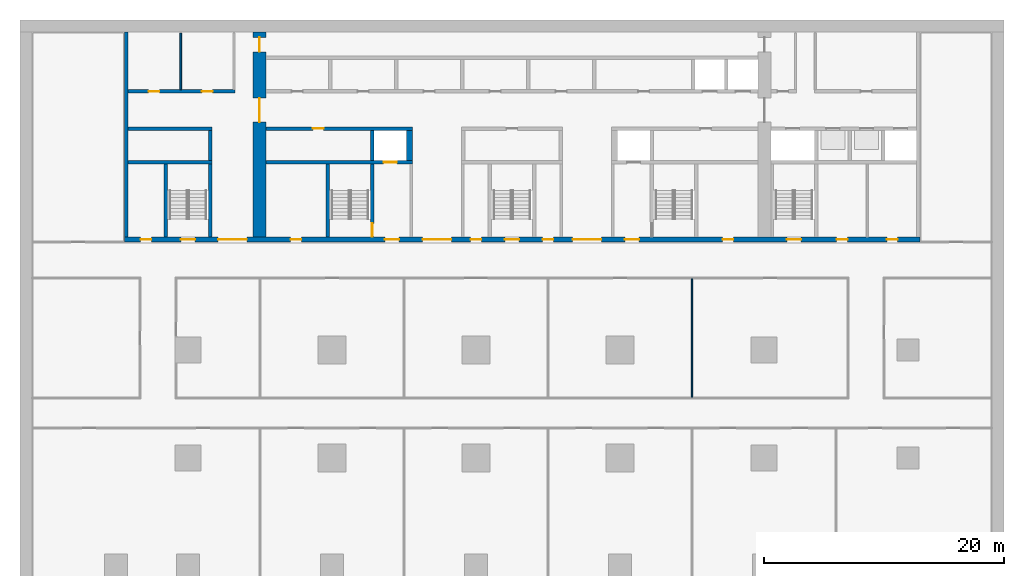
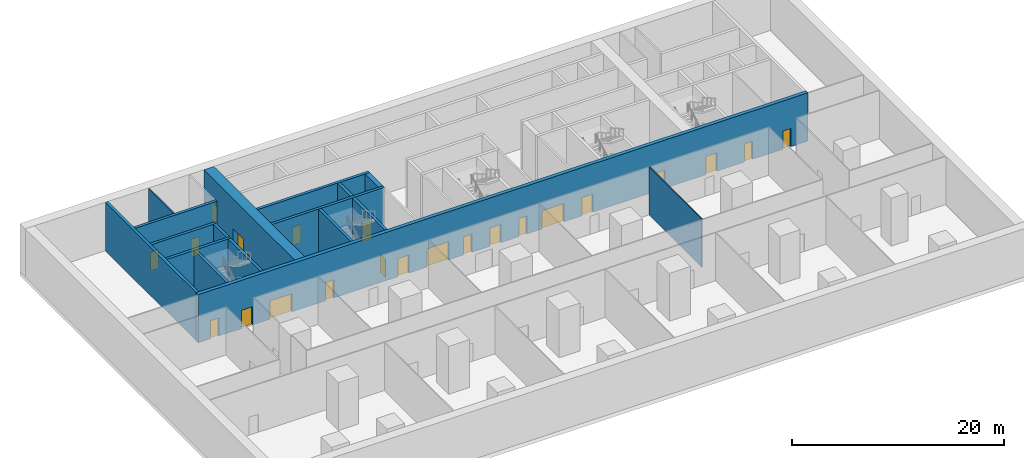
# One storey, part 3 of 10: 22 doors, 17 walls, 22 openings.
"""IFC4 building model written with IfcOpenShell, lengths in metres."""

from ifc_helpers import new_model, si_unit, direction, frame, frame_2d, origin, place, context, subcontext, project, spatial, rectangle, extrude, material, layer, layer_set, type_object, element, fill, save


model = new_model("IFC4")

# Units and contexts
model_context = context("Model", 3, precision=1e-05, world=origin(), true_north=direction((0.0, 1.0)))
body_context = subcontext(model_context, "Body", "Model", "MODEL_VIEW")
ifc_project = project(units=[si_unit("LENGTHUNIT", "METRE"), si_unit("AREAUNIT", "SQUARE_METRE"), si_unit("VOLUMEUNIT", "CUBIC_METRE"), si_unit("PLANEANGLEUNIT", "RADIAN"), si_unit("MASSUNIT", "GRAM", prefix="KILO")], contexts=[model_context])

# Site, building, storey
site_placement = place(None, origin())
site = spatial("IfcSite", under=ifc_project, at=site_placement, CompositionType="ELEMENT")
building_placement = place(site_placement, origin())
building = spatial("IfcBuilding", under=site, at=building_placement, Name="Calvaro Tower", CompositionType="ELEMENT")
storey_placement = place(building_placement, frame((0.0, 0.0, -6.0)))
storey = spatial("IfcBuildingStorey", under=building, at=storey_placement, Name="B1", CompositionType="ELEMENT", Elevation=-6.0)

# Wall
ifc_material_1 = material(Name="Blockwork partition", Category="masonry")
ifc_layer_1 = layer(ifc_material_1, 0.14990234375)
ifc_layer_set_1 = layer_set([ifc_layer_1], Name="Blockwork partition")
wall_type_1 = type_object("IfcWallType", Name="Core partition 150 REI 120", PredefinedType="PARTITIONING", material=ifc_layer_set_1)
wall_1_placement = place(storey_placement, frame((11.39990234375, 40.699951171875, 0.0), z_axis=(0.0, 0.0, 1.0), x_axis=(0.0, 1.0, 0.0)))
element("IfcWall", 1, at=wall_1_placement, inside=storey, type_object=wall_type_1, Name="Core partition", PredefinedType="PARTITIONING", context=body_context, shape_type="SweptSolid", body=[
    extrude(rectangle(XDim=4.699951171875, YDim=0.14990234375, at=frame_2d((2.35009765625, 0.0))), origin(), (0.0, 0.0, 1.0), 5.550048828125),
])

# Wall, openings, doors
ifc_material_2 = material(Name="Blockwork partition", Category="masonry")
ifc_layer_2 = layer(ifc_material_2, 0.300048828125)
ifc_layer_set_2 = layer_set([ifc_layer_2], Name="Blockwork partition")
wall_type_2 = type_object("IfcWallType", Name="Core partition 300 REI 120", PredefinedType="PARTITIONING", material=ifc_layer_set_2)
wall_2_placement = place(storey_placement, frame((7.0, 40.550048828125, 0.0), z_axis=(0.0, 0.0, 1.0), x_axis=(1.0, 0.0, 0.0)))
wall_2 = element("IfcWall", 2, at=wall_2_placement, inside=storey, type_object=wall_type_2, Name="Core partition", PredefinedType="PARTITIONING", context=body_context, shape_type="SweptSolid", body=[
    extrude(rectangle(XDim=8.89990234375, YDim=0.300048828125, at=frame_2d((4.449951171875, 0.0))), origin(), (0.0, 0.0, 1.0), 5.550048828125),
])
opening_1_placement = place(wall_2_placement, frame((1.71240234375, 0.0, 0.0)))
opening_1 = element("IfcOpeningElement", 3, at=opening_1_placement, cuts=wall_2, Name="Opening RD9E", PredefinedType="OPENING", context=body_context, shape_type="SweptSolid", body=[
    extrude(rectangle(XDim=0.89990234375, YDim=2.10009765625, at=frame_2d((0.449951171875, 1.050048828125))), frame((0.0, 0.159912109375, 0.0), z_axis=(0.0, -1.0, 0.0), x_axis=(1.0, 0.0, 0.0)), (0.0, 0.0, 1.0), 0.320068359375),
])
opening_2_placement = place(wall_2_placement, frame((6.16259765625, 0.0, 0.0)))
opening_2 = element("IfcOpeningElement", 4, at=opening_2_placement, cuts=wall_2, Name="Opening RD9E", PredefinedType="OPENING", context=body_context, shape_type="SweptSolid", body=[
    extrude(rectangle(XDim=0.89990234375, YDim=2.10009765625, at=frame_2d((0.449951171875, 1.050048828125))), frame((0.0, 0.159912109375, 0.0), z_axis=(0.0, -1.0, 0.0), x_axis=(1.0, 0.0, 0.0)), (0.0, 0.0, 1.0), 0.320068359375),
])
ifc_material_3 = material(Name="Steel door set", Category="steel")
door_type_1 = type_object("IfcDoorType", Name="Room door 900 FD60", OperationType="SINGLE_SWING_LEFT", PredefinedType="DOOR", material=ifc_material_3)
door_1_placement = place(opening_1_placement, origin())
door_1 = element("IfcDoor", 5, at=door_1_placement, inside=storey, type_object=door_type_1, Name="Room door", OperationType="SINGLE_SWING_LEFT", OverallHeight=2.10009765625, OverallWidth=0.89990234375, PredefinedType="DOOR", context=body_context, shape_type="SweptSolid", body=[
    extrude(rectangle(XDim=0.89990234375, YDim=2.10009765625, at=frame_2d((0.449951171875, 1.050048828125))), frame((0.0, 0.02490234375, 0.0), z_axis=(0.0, -1.0, 0.0), x_axis=(1.0, 0.0, 0.0)), (0.0, 0.0, 1.0), 0.050048828125),
])
fill(opening_1, door_1)
door_2_placement = place(opening_2_placement, origin())
door_2 = element("IfcDoor", 6, at=door_2_placement, inside=storey, type_object=door_type_1, Name="Room door", OperationType="SINGLE_SWING_RIGHT", OverallHeight=2.10009765625, OverallWidth=0.89990234375, PredefinedType="DOOR", context=body_context, shape_type="SweptSolid", body=[
    extrude(rectangle(XDim=0.89990234375, YDim=2.10009765625, at=frame_2d((0.449951171875, 1.050048828125))), frame((0.0, 0.02490234375, 0.0), z_axis=(0.0, -1.0, 0.0), x_axis=(1.0, 0.0, 0.0)), (0.0, 0.0, 1.0), 0.050048828125),
])
fill(opening_2, door_2)

ifc_material_4 = material(Name="Concrete C80/95", Category="concrete")
ifc_layer_3 = layer(ifc_material_4, 1.10009765625)
ifc_layer_set_3 = layer_set([ifc_layer_3], Name="Concrete C80/95")
wall_type_3 = type_object("IfcWallType", Name="Core wall C80/95 1100", PredefinedType="SHEAR", material=ifc_layer_set_3)
wall_3_placement = place(storey_placement, frame((17.949951171875, 28.39990234375, 0.0), z_axis=(0.0, 0.0, 1.0), x_axis=(0.0, 1.0, 0.0)))
wall_3 = element("IfcWall", 7, at=wall_3_placement, inside=storey, type_object=wall_type_3, Name="Core wall, cross shear wall", PredefinedType="SHEAR", context=body_context, shape_type="SweptSolid", body=[
    extrude(rectangle(XDim=17.10009765625, YDim=1.10009765625, at=frame_2d((8.550048828125, 0.0))), origin(), (0.0, 0.0, 1.0), 5.550048828125),
])
opening_3_placement = place(wall_3_placement, frame((9.60009765625, 0.0, 0.0)))
opening_3 = element("IfcOpeningElement", 8, at=opening_3_placement, cuts=wall_3, Name="Opening DD20D", PredefinedType="OPENING", context=body_context, shape_type="SweptSolid", body=[
    extrude(rectangle(XDim=2.0, YDim=2.10009765625, at=frame_2d((1.0, 1.050048828125))), frame((0.0, 0.56005859375, 0.0), z_axis=(0.0, -1.0, 0.0), x_axis=(1.0, 0.0, 0.0)), (0.0, 0.0, 1.0), 1.1201171875),
])
opening_4_placement = place(wall_3_placement, frame((15.449951171875, 0.0, 0.0)))
opening_4 = element("IfcOpeningElement", 9, at=opening_4_placement, cuts=wall_3, Name="Opening FD12C", PredefinedType="OPENING", context=body_context, shape_type="SweptSolid", body=[
    extrude(rectangle(XDim=1.199951171875, YDim=2.10009765625, at=frame_2d((0.60009765625, 1.050048828125))), frame((0.0, 0.56005859375, 0.0), z_axis=(0.0, -1.0, 0.0), x_axis=(1.0, 0.0, 0.0)), (0.0, 0.0, 1.0), 1.1201171875),
])
ifc_material_5 = material(Name="Steel door set", Category="steel")
door_type_2 = type_object("IfcDoorType", Name="Fire door 1200 FD30", OperationType="SINGLE_SWING_LEFT", PredefinedType="DOOR", material=ifc_material_5)
door_3_placement = place(opening_4_placement, origin())
door_3 = element("IfcDoor", 10, at=door_3_placement, inside=storey, type_object=door_type_2, Name="Fire door", OperationType="SINGLE_SWING_RIGHT", OverallHeight=2.10009765625, OverallWidth=1.199951171875, PredefinedType="DOOR", context=body_context, shape_type="SweptSolid", body=[
    extrude(rectangle(XDim=1.199951171875, YDim=2.10009765625, at=frame_2d((0.60009765625, 1.050048828125))), frame((0.0, 0.02490234375, 0.0), z_axis=(0.0, -1.0, 0.0), x_axis=(1.0, 0.0, 0.0)), (0.0, 0.0, 1.0), 0.050048828125),
])
fill(opening_4, door_3)
ifc_material_6 = material(Name="Steel door set", Category="steel")
door_type_3 = type_object("IfcDoorType", Name="Lobby double door 2000 FD30S", OperationType="DOUBLE_DOOR_SINGLE_SWING", PredefinedType="DOOR", material=ifc_material_6)
door_4_placement = place(opening_3_placement, origin())
door_4 = element("IfcDoor", 11, at=door_4_placement, inside=storey, type_object=door_type_3, Name="Lobby double door", OperationType="DOUBLE_DOOR_SINGLE_SWING", OverallHeight=2.10009765625, OverallWidth=2.0, PredefinedType="DOOR", context=body_context, shape_type="SweptSolid", body=[
    extrude(rectangle(XDim=2.0, YDim=2.10009765625, at=frame_2d((1.0, 1.050048828125))), frame((0.0, 0.02490234375, 0.0), z_axis=(0.0, -1.0, 0.0), x_axis=(1.0, 0.0, 0.0)), (0.0, 0.0, 1.0), 0.050048828125),
])
fill(opening_3, door_4)

# Walls
ifc_material_7 = material(Name="Concrete C80/95", Category="concrete")
ifc_layer_4 = layer(ifc_material_7, 0.300048828125)
ifc_layer_set_4 = layer_set([ifc_layer_4], Name="Concrete C80/95")
wall_type_4 = type_object("IfcWallType", Name="Core wall C80/95 300", PredefinedType="SHEAR", material=ifc_layer_set_4)
wall_4_placement = place(storey_placement, frame((6.85009765625, 28.39990234375, 0.0), z_axis=(0.0, 0.0, 1.0), x_axis=(0.0, 1.0, 0.0)))
element("IfcWall", 12, at=wall_4_placement, inside=storey, type_object=wall_type_4, Name="Core wall, boundary", PredefinedType="SHEAR", context=body_context, shape_type="SweptSolid", body=[
    extrude(rectangle(XDim=17.10009765625, YDim=0.300048828125, at=frame_2d((8.550048828125, 0.0))), origin(), (0.0, 0.0, 1.0), 5.550048828125),
])
for number, where, z_axis, x_axis, name in (
    (13, (10.14990234375, 28.39990234375, 0.0), (0.0, 0.0, 1.0), (0.0, 1.0, 0.0), "Core wall, stair enclosure"),
    (14, (13.85009765625, 28.39990234375, 0.0), (0.0, 0.0, 1.0), (0.0, 1.0, 0.0), "Core wall, stair enclosure"),
    (15, (23.64990234375, 28.39990234375, 0.0), (0.0, 0.0, 1.0), (0.0, 1.0, 0.0), "Core wall, stair enclosure"),
):
    element("IfcWall", number, at=place(storey_placement, frame(where, z_axis=z_axis, x_axis=x_axis)), inside=storey, type_object=wall_type_4, Name=name, PredefinedType="SHEAR", context=body_context, shape_type="SweptSolid", body=[
        extrude(rectangle(XDim=6.10009765625, YDim=0.300048828125, at=frame_2d((3.050048828125, 0.0))), origin(), (0.0, 0.0, 1.0), 5.550048828125),
    ])

# Wall, opening, door
wall_5_placement = place(storey_placement, frame((27.35009765625, 28.39990234375, 0.0), z_axis=(0.0, 0.0, 1.0), x_axis=(0.0, 1.0, 0.0)))
wall_5 = element("IfcWall", 16, at=wall_5_placement, inside=storey, type_object=wall_type_4, Name="Core wall, stair enclosure", PredefinedType="SHEAR", context=body_context, shape_type="SweptSolid", body=[
    extrude(rectangle(XDim=6.10009765625, YDim=0.300048828125, at=frame_2d((3.050048828125, 0.0))), origin(), (0.0, 0.0, 1.0), 5.550048828125),
])
opening_5_placement = place(wall_5_placement, frame((0.050048828125, 0.0, 0.0)))
opening_5 = element("IfcOpeningElement", 17, at=opening_5_placement, cuts=wall_5, Name="Opening FD11D", PredefinedType="OPENING", context=body_context, shape_type="SweptSolid", body=[
    extrude(rectangle(XDim=1.10009765625, YDim=2.10009765625, at=frame_2d((0.550048828125, 1.050048828125))), frame((0.0, 0.159912109375, 0.0), z_axis=(0.0, -1.0, 0.0), x_axis=(1.0, 0.0, 0.0)), (0.0, 0.0, 1.0), 0.320068359375),
])
ifc_material_8 = material(Name="Steel door set", Category="steel")
door_type_4 = type_object("IfcDoorType", Name="Fire door 1100 FD30S", OperationType="SINGLE_SWING_LEFT", PredefinedType="DOOR", material=ifc_material_8)
door_5_placement = place(opening_5_placement, origin())
door_5 = element("IfcDoor", 18, at=door_5_placement, inside=storey, type_object=door_type_4, Name="Fire door", OperationType="SINGLE_SWING_LEFT", OverallHeight=2.10009765625, OverallWidth=1.10009765625, PredefinedType="DOOR", context=body_context, shape_type="SweptSolid", body=[
    extrude(rectangle(XDim=1.10009765625, YDim=2.10009765625, at=frame_2d((0.550048828125, 1.050048828125))), frame((0.0, 0.02490234375, 0.0), z_axis=(0.0, -1.0, 0.0), x_axis=(1.0, 0.0, 0.0)), (0.0, 0.0, 1.0), 0.050048828125),
])
fill(opening_5, door_5)

# Wall
wall_6_placement = place(storey_placement, frame((7.0, 34.64990234375, 0.0), z_axis=(0.0, 0.0, 1.0), x_axis=(1.0, 0.0, 0.0)))
element("IfcWall", 19, at=wall_6_placement, inside=storey, type_object=wall_type_4, Name="Core wall, lift shaft", PredefinedType="SHEAR", context=body_context, shape_type="SweptSolid", body=[
    extrude(rectangle(XDim=7.0, YDim=0.300048828125, at=frame_2d((3.5, 0.0))), origin(), (0.0, 0.0, 1.0), 5.550048828125),
])

# Wall, opening, door
wall_7_placement = place(storey_placement, frame((18.5, 34.64990234375, 0.0), z_axis=(0.0, 0.0, 1.0), x_axis=(1.0, 0.0, 0.0)))
wall_7 = element("IfcWall", 20, at=wall_7_placement, inside=storey, type_object=wall_type_4, Name="Core wall, lift shaft", PredefinedType="SHEAR", context=body_context, shape_type="SweptSolid", body=[
    extrude(rectangle(XDim=12.199951171875, YDim=0.300048828125, at=frame_2d((6.10009765625, 0.0))), origin(), (0.0, 0.0, 1.0), 5.550048828125),
])
opening_6_placement = place(wall_7_placement, frame((9.800048828125, 0.0, 0.0)))
opening_6 = element("IfcOpeningElement", 21, at=opening_6_placement, cuts=wall_7, Name="Opening FF1", PredefinedType="OPENING", context=body_context, shape_type="SweptSolid", body=[
    extrude(rectangle(XDim=1.10009765625, YDim=2.10009765625, at=frame_2d((0.550048828125, 1.050048828125))), frame((0.0, 0.159912109375, 0.0), z_axis=(0.0, -1.0, 0.0), x_axis=(1.0, 0.0, 0.0)), (0.0, 0.0, 1.0), 0.320068359375),
])
ifc_material_9 = material(Name="Stainless steel", Category="steel")
door_type_5 = type_object("IfcDoorType", Name="Landing door 1100 E 60", OperationType="SLIDING_TO_LEFT", PredefinedType="DOOR", material=ifc_material_9)
door_6_placement = place(opening_6_placement, origin())
door_6 = element("IfcDoor", 22, at=door_6_placement, inside=storey, type_object=door_type_5, Name="Landing door FF1", OperationType="SLIDING_TO_LEFT", OverallHeight=2.10009765625, OverallWidth=1.10009765625, PredefinedType="DOOR", context=body_context, shape_type="SweptSolid", body=[
    extrude(rectangle(XDim=1.10009765625, YDim=2.10009765625, at=frame_2d((0.550048828125, 1.050048828125))), frame((0.0, 0.02490234375, 0.0), z_axis=(0.0, -1.0, 0.0), x_axis=(1.0, 0.0, 0.0)), (0.0, 0.0, 1.0), 0.050048828125),
])
fill(opening_6, door_6)

# Wall
wall_8_placement = place(storey_placement, frame((7.0, 37.449951171875, 0.0), z_axis=(0.0, 0.0, 1.0), x_axis=(1.0, 0.0, 0.0)))
element("IfcWall", 23, at=wall_8_placement, inside=storey, type_object=wall_type_4, Name="Core wall, lift shaft", PredefinedType="SHEAR", context=body_context, shape_type="SweptSolid", body=[
    extrude(rectangle(XDim=7.0, YDim=0.300048828125, at=frame_2d((3.5, 0.0))), origin(), (0.0, 0.0, 1.0), 5.550048828125),
])

# Wall, opening, door
wall_9_placement = place(storey_placement, frame((30.699951171875, 37.449951171875, 0.0), z_axis=(0.0, 0.0, 1.0), x_axis=(-1.0, 0.0, 0.0)))
wall_9 = element("IfcWall", 24, at=wall_9_placement, inside=storey, type_object=wall_type_4, Name="Core wall, bay", PredefinedType="SHEAR", context=body_context, shape_type="SweptSolid", body=[
    extrude(rectangle(XDim=12.199951171875, YDim=0.300048828125, at=frame_2d((6.10009765625, 0.0))), origin(), (0.0, 0.0, 1.0), 5.550048828125),
])
opening_7_placement = place(wall_9_placement, frame((7.39990234375, 0.0, 0.0)))
opening_7 = element("IfcOpeningElement", 25, at=opening_7_placement, cuts=wall_9, Name="Opening RD9E", PredefinedType="OPENING", context=body_context, shape_type="SweptSolid", body=[
    extrude(rectangle(XDim=0.89990234375, YDim=2.10009765625, at=frame_2d((0.449951171875, 1.050048828125))), frame((0.0, 0.159912109375, 0.0), z_axis=(0.0, -1.0, 0.0), x_axis=(1.0, 0.0, 0.0)), (0.0, 0.0, 1.0), 0.320068359375),
])
door_7_placement = place(opening_7_placement, origin())
door_7 = element("IfcDoor", 26, at=door_7_placement, inside=storey, type_object=door_type_1, Name="Room door", OperationType="SINGLE_SWING_LEFT", OverallHeight=2.10009765625, OverallWidth=0.89990234375, PredefinedType="DOOR", context=body_context, shape_type="SweptSolid", body=[
    extrude(rectangle(XDim=0.89990234375, YDim=2.10009765625, at=frame_2d((0.449951171875, 1.050048828125))), frame((0.0, 0.02490234375, 0.0), z_axis=(0.0, -1.0, 0.0), x_axis=(1.0, 0.0, 0.0)), (0.0, 0.0, 1.0), 0.050048828125),
])
fill(opening_7, door_7)

# Walls
for number, where, z_axis, x_axis, name in (
    (27, (27.35009765625, 34.800048828125, 0.0), (0.0, 0.0, 1.0), (0.0, 1.0, 0.0), "Core wall, lift shaft"),
    (28, (13.85009765625, 34.800048828125, 0.0), (0.0, 0.0, 1.0), (0.0, 1.0, 0.0), "Core wall, lift shaft"),
):
    element("IfcWall", number, at=place(storey_placement, frame(where, z_axis=z_axis, x_axis=x_axis)), inside=storey, type_object=wall_type_4, Name=name, PredefinedType="SHEAR", context=body_context, shape_type="SweptSolid", body=[
        extrude(rectangle(XDim=2.5, YDim=0.300048828125, at=frame_2d((1.25, 0.0))), origin(), (0.0, 0.0, 1.0), 5.550048828125),
    ])

# Wall, openings, doors
ifc_material_10 = material(Name="Concrete C80/95", Category="concrete")
ifc_layer_5 = layer(ifc_material_10, 0.39990234375)
ifc_layer_set_5 = layer_set([ifc_layer_5], Name="Concrete C80/95")
wall_type_5 = type_object("IfcWallType", Name="Core wall C80/95 400", PredefinedType="SHEAR", material=ifc_layer_set_5)
wall_10_placement = place(storey_placement, frame((6.699951171875, 28.199951171875, 0.0), z_axis=(0.0, 0.0, 1.0), x_axis=(1.0, 0.0, 0.0)))
wall_10 = element("IfcWall", 29, at=wall_10_placement, inside=storey, type_object=wall_type_5, Name="Core wall, front", PredefinedType="SHEAR", context=body_context, shape_type="SweptSolid", body=[
    extrude(rectangle(XDim=66.300048828125, YDim=0.39990234375, at=frame_2d((33.14990234375, 0.0))), origin(), (0.0, 0.0, 1.0), 5.550048828125),
])
opening_8_placement = place(wall_10_placement, frame((13.85009765625, 0.0, 0.0)))
opening_8 = element("IfcOpeningElement", 30, at=opening_8_placement, cuts=wall_10, Name="Opening RD9E", PredefinedType="OPENING", context=body_context, shape_type="SweptSolid", body=[
    extrude(rectangle(XDim=0.89990234375, YDim=2.10009765625, at=frame_2d((0.449951171875, 1.050048828125))), frame((0.0, 0.2099609375, 0.0), z_axis=(0.0, -1.0, 0.0), x_axis=(1.0, 0.0, 0.0)), (0.0, 0.0, 1.0), 0.419921875),
])
opening_9_placement = place(wall_10_placement, frame((49.85009765625, 0.0, 0.0)))
opening_9 = element("IfcOpeningElement", 31, at=opening_9_placement, cuts=wall_10, Name="Opening RD9E", PredefinedType="OPENING", context=body_context, shape_type="SweptSolid", body=[
    extrude(rectangle(XDim=0.89990234375, YDim=2.10009765625, at=frame_2d((0.449951171875, 1.050048828125))), frame((0.0, 0.2099609375, 0.0), z_axis=(0.0, -1.0, 0.0), x_axis=(1.0, 0.0, 0.0)), (0.0, 0.0, 1.0), 0.419921875),
])
opening_10_placement = place(wall_10_placement, frame((1.35009765625, 0.0, 0.0)))
opening_10 = element("IfcOpeningElement", 32, at=opening_10_placement, cuts=wall_10, Name="Opening RD9C", PredefinedType="OPENING", context=body_context, shape_type="SweptSolid", body=[
    extrude(rectangle(XDim=0.89990234375, YDim=2.10009765625, at=frame_2d((0.449951171875, 1.050048828125))), frame((0.0, 0.2099609375, 0.0), z_axis=(0.0, -1.0, 0.0), x_axis=(1.0, 0.0, 0.0)), (0.0, 0.0, 1.0), 0.419921875),
])
opening_11_placement = place(wall_10_placement, frame((59.362548828125, 0.0, 0.0)))
opening_11 = element("IfcOpeningElement", 33, at=opening_11_placement, cuts=wall_10, Name="Opening RD9E", PredefinedType="OPENING", context=body_context, shape_type="SweptSolid", body=[
    extrude(rectangle(XDim=0.89990234375, YDim=2.10009765625, at=frame_2d((0.449951171875, 1.050048828125))), frame((0.0, 0.2099609375, 0.0), z_axis=(0.0, -1.0, 0.0), x_axis=(1.0, 0.0, 0.0)), (0.0, 0.0, 1.0), 0.419921875),
])
opening_12_placement = place(wall_10_placement, frame((63.53759765625, 0.0, 0.0)))
opening_12 = element("IfcOpeningElement", 34, at=opening_12_placement, cuts=wall_10, Name="Opening RD9C", PredefinedType="OPENING", context=body_context, shape_type="SweptSolid", body=[
    extrude(rectangle(XDim=0.89990234375, YDim=2.10009765625, at=frame_2d((0.449951171875, 1.050048828125))), frame((0.0, 0.2099609375, 0.0), z_axis=(0.0, -1.0, 0.0), x_axis=(1.0, 0.0, 0.0)), (0.0, 0.0, 1.0), 0.419921875),
])
opening_13_placement = place(wall_10_placement, frame((4.699951171875, 0.0, 0.0)))
opening_13 = element("IfcOpeningElement", 35, at=opening_13_placement, cuts=wall_10, Name="Opening SD12D", PredefinedType="OPENING", context=body_context, shape_type="SweptSolid", body=[
    extrude(rectangle(XDim=1.199951171875, YDim=2.10009765625, at=frame_2d((0.60009765625, 1.050048828125))), frame((0.0, 0.2099609375, 0.0), z_axis=(0.0, -1.0, 0.0), x_axis=(1.0, 0.0, 0.0)), (0.0, 0.0, 1.0), 0.419921875),
])
opening_14_placement = place(wall_10_placement, frame((31.699951171875, 0.0, 0.0)))
opening_14 = element("IfcOpeningElement", 36, at=opening_14_placement, cuts=wall_10, Name="Opening SD12D", PredefinedType="OPENING", context=body_context, shape_type="SweptSolid", body=[
    extrude(rectangle(XDim=1.199951171875, YDim=2.10009765625, at=frame_2d((0.60009765625, 1.050048828125))), frame((0.0, 0.2099609375, 0.0), z_axis=(0.0, -1.0, 0.0), x_axis=(1.0, 0.0, 0.0)), (0.0, 0.0, 1.0), 0.419921875),
])
opening_15_placement = place(wall_10_placement, frame((55.199951171875, 0.0, 0.0)))
opening_15 = element("IfcOpeningElement", 37, at=opening_15_placement, cuts=wall_10, Name="Opening SD12D", PredefinedType="OPENING", context=body_context, shape_type="SweptSolid", body=[
    extrude(rectangle(XDim=1.199951171875, YDim=2.10009765625, at=frame_2d((0.60009765625, 1.050048828125))), frame((0.0, 0.2099609375, 0.0), z_axis=(0.0, -1.0, 0.0), x_axis=(1.0, 0.0, 0.0)), (0.0, 0.0, 1.0), 0.419921875),
])
opening_16_placement = place(wall_10_placement, frame((21.699951171875, 0.0, 0.0)))
opening_16 = element("IfcOpeningElement", 38, at=opening_16_placement, cuts=wall_10, Name="Opening FD12F", PredefinedType="OPENING", context=body_context, shape_type="SweptSolid", body=[
    extrude(rectangle(XDim=1.199951171875, YDim=2.10009765625, at=frame_2d((0.60009765625, 1.050048828125))), frame((0.0, 0.2099609375, 0.0), z_axis=(0.0, -1.0, 0.0), x_axis=(1.0, 0.0, 0.0)), (0.0, 0.0, 1.0), 0.419921875),
])
opening_17_placement = place(wall_10_placement, frame((41.699951171875, 0.0, 0.0)))
opening_17 = element("IfcOpeningElement", 39, at=opening_17_placement, cuts=wall_10, Name="Opening FD12F", PredefinedType="OPENING", context=body_context, shape_type="SweptSolid", body=[
    extrude(rectangle(XDim=1.199951171875, YDim=2.10009765625, at=frame_2d((0.60009765625, 1.050048828125))), frame((0.0, 0.2099609375, 0.0), z_axis=(0.0, -1.0, 0.0), x_axis=(1.0, 0.0, 0.0)), (0.0, 0.0, 1.0), 0.419921875),
])
opening_18_placement = place(wall_10_placement, frame((24.85009765625, 0.0, 0.0)))
opening_18 = element("IfcOpeningElement", 40, at=opening_18_placement, cuts=wall_10, Name="Opening DD24D", PredefinedType="OPENING", context=body_context, shape_type="SweptSolid", body=[
    extrude(rectangle(XDim=2.39990234375, YDim=2.10009765625, at=frame_2d((1.199951171875, 1.050048828125))), frame((0.0, 0.2099609375, 0.0), z_axis=(0.0, -1.0, 0.0), x_axis=(1.0, 0.0, 0.0)), (0.0, 0.0, 1.0), 0.419921875),
])
opening_19_placement = place(wall_10_placement, frame((37.35009765625, 0.0, 0.0)))
opening_19 = element("IfcOpeningElement", 41, at=opening_19_placement, cuts=wall_10, Name="Opening DD24D", PredefinedType="OPENING", context=body_context, shape_type="SweptSolid", body=[
    extrude(rectangle(XDim=2.39990234375, YDim=2.10009765625, at=frame_2d((1.199951171875, 1.050048828125))), frame((0.0, 0.2099609375, 0.0), z_axis=(0.0, -1.0, 0.0), x_axis=(1.0, 0.0, 0.0)), (0.0, 0.0, 1.0), 0.419921875),
])
opening_20_placement = place(wall_10_placement, frame((7.800048828125, 0.0, 0.0)))
opening_20 = element("IfcOpeningElement", 42, at=opening_20_placement, cuts=wall_10, Name="Opening DD24D", PredefinedType="OPENING", context=body_context, shape_type="SweptSolid", body=[
    extrude(rectangle(XDim=2.39990234375, YDim=2.10009765625, at=frame_2d((1.199951171875, 1.050048828125))), frame((0.0, 0.2099609375, 0.0), z_axis=(0.0, -1.0, 0.0), x_axis=(1.0, 0.0, 0.0)), (0.0, 0.0, 1.0), 0.419921875),
])
opening_21_placement = place(wall_10_placement, frame((28.85009765625, 0.0, 0.0)))
opening_21 = element("IfcOpeningElement", 43, at=opening_21_placement, cuts=wall_10, Name="Opening RD9E", PredefinedType="OPENING", context=body_context, shape_type="SweptSolid", body=[
    extrude(rectangle(XDim=0.89990234375, YDim=2.10009765625, at=frame_2d((0.449951171875, 1.050048828125))), frame((0.0, 0.2099609375, 0.0), z_axis=(0.0, -1.0, 0.0), x_axis=(1.0, 0.0, 0.0)), (0.0, 0.0, 1.0), 0.419921875),
])
opening_22_placement = place(wall_10_placement, frame((34.85009765625, 0.0, 0.0)))
opening_22 = element("IfcOpeningElement", 44, at=opening_22_placement, cuts=wall_10, Name="Opening RD9E", PredefinedType="OPENING", context=body_context, shape_type="SweptSolid", body=[
    extrude(rectangle(XDim=0.89990234375, YDim=2.10009765625, at=frame_2d((0.449951171875, 1.050048828125))), frame((0.0, 0.2099609375, 0.0), z_axis=(0.0, -1.0, 0.0), x_axis=(1.0, 0.0, 0.0)), (0.0, 0.0, 1.0), 0.419921875),
])
ifc_material_11 = material(Name="Steel door set", Category="steel")
door_type_6 = type_object("IfcDoorType", Name="Fire door 1200 FD60S", OperationType="SINGLE_SWING_LEFT", PredefinedType="DOOR", material=ifc_material_11)
door_8_placement = place(opening_16_placement, origin())
door_8 = element("IfcDoor", 45, at=door_8_placement, inside=storey, type_object=door_type_6, Name="Fire door", OperationType="SINGLE_SWING_LEFT", OverallHeight=2.10009765625, OverallWidth=1.199951171875, PredefinedType="DOOR", context=body_context, shape_type="SweptSolid", body=[
    extrude(rectangle(XDim=1.199951171875, YDim=2.10009765625, at=frame_2d((0.60009765625, 1.050048828125))), frame((0.0, 0.02490234375, 0.0), z_axis=(0.0, -1.0, 0.0), x_axis=(1.0, 0.0, 0.0)), (0.0, 0.0, 1.0), 0.050048828125),
])
fill(opening_16, door_8)
door_9_placement = place(opening_17_placement, origin())
door_9 = element("IfcDoor", 46, at=door_9_placement, inside=storey, type_object=door_type_6, Name="Fire door", OperationType="SINGLE_SWING_LEFT", OverallHeight=2.10009765625, OverallWidth=1.199951171875, PredefinedType="DOOR", context=body_context, shape_type="SweptSolid", body=[
    extrude(rectangle(XDim=1.199951171875, YDim=2.10009765625, at=frame_2d((0.60009765625, 1.050048828125))), frame((0.0, 0.02490234375, 0.0), z_axis=(0.0, -1.0, 0.0), x_axis=(1.0, 0.0, 0.0)), (0.0, 0.0, 1.0), 0.050048828125),
])
fill(opening_17, door_9)
ifc_material_12 = material(Name="Steel door set", Category="steel")
door_type_7 = type_object("IfcDoorType", Name="Lobby double door 2400 FD30S", OperationType="DOUBLE_DOOR_SINGLE_SWING", PredefinedType="DOOR", material=ifc_material_12)
door_10_placement = place(opening_18_placement, origin())
door_10 = element("IfcDoor", 47, at=door_10_placement, inside=storey, type_object=door_type_7, Name="Lobby double door", OperationType="DOUBLE_DOOR_SINGLE_SWING", OverallHeight=2.10009765625, OverallWidth=2.39990234375, PredefinedType="DOOR", context=body_context, shape_type="SweptSolid", body=[
    extrude(rectangle(XDim=2.39990234375, YDim=2.10009765625, at=frame_2d((1.199951171875, 1.050048828125))), frame((0.0, 0.02490234375, 0.0), z_axis=(0.0, -1.0, 0.0), x_axis=(1.0, 0.0, 0.0)), (0.0, 0.0, 1.0), 0.050048828125),
])
fill(opening_18, door_10)
door_11_placement = place(opening_19_placement, origin())
door_11 = element("IfcDoor", 48, at=door_11_placement, inside=storey, type_object=door_type_7, Name="Lobby double door", OperationType="DOUBLE_DOOR_SINGLE_SWING", OverallHeight=2.10009765625, OverallWidth=2.39990234375, PredefinedType="DOOR", context=body_context, shape_type="SweptSolid", body=[
    extrude(rectangle(XDim=2.39990234375, YDim=2.10009765625, at=frame_2d((1.199951171875, 1.050048828125))), frame((0.0, 0.02490234375, 0.0), z_axis=(0.0, -1.0, 0.0), x_axis=(1.0, 0.0, 0.0)), (0.0, 0.0, 1.0), 0.050048828125),
])
fill(opening_19, door_11)
door_12_placement = place(opening_20_placement, origin())
door_12 = element("IfcDoor", 49, at=door_12_placement, inside=storey, type_object=door_type_7, Name="Lobby double door", OperationType="DOUBLE_DOOR_SINGLE_SWING", OverallHeight=2.10009765625, OverallWidth=2.39990234375, PredefinedType="DOOR", context=body_context, shape_type="SweptSolid", body=[
    extrude(rectangle(XDim=2.39990234375, YDim=2.10009765625, at=frame_2d((1.199951171875, 1.050048828125))), frame((0.0, 0.02490234375, 0.0), z_axis=(0.0, -1.0, 0.0), x_axis=(1.0, 0.0, 0.0)), (0.0, 0.0, 1.0), 0.050048828125),
])
fill(opening_20, door_12)
ifc_material_13 = material(Name="Steel door set", Category="steel")
door_type_8 = type_object("IfcDoorType", Name="Room door 900 FD30", OperationType="SINGLE_SWING_LEFT", PredefinedType="DOOR", material=ifc_material_13)
door_13_placement = place(opening_10_placement, origin())
door_13 = element("IfcDoor", 50, at=door_13_placement, inside=storey, type_object=door_type_8, Name="Room door", OperationType="SINGLE_SWING_LEFT", OverallHeight=2.10009765625, OverallWidth=0.89990234375, PredefinedType="DOOR", context=body_context, shape_type="SweptSolid", body=[
    extrude(rectangle(XDim=0.89990234375, YDim=2.10009765625, at=frame_2d((0.449951171875, 1.050048828125))), frame((0.0, 0.02490234375, 0.0), z_axis=(0.0, -1.0, 0.0), x_axis=(1.0, 0.0, 0.0)), (0.0, 0.0, 1.0), 0.050048828125),
])
fill(opening_10, door_13)
door_14_placement = place(opening_12_placement, origin())
door_14 = element("IfcDoor", 51, at=door_14_placement, inside=storey, type_object=door_type_8, Name="Room door", OperationType="SINGLE_SWING_LEFT", OverallHeight=2.10009765625, OverallWidth=0.89990234375, PredefinedType="DOOR", context=body_context, shape_type="SweptSolid", body=[
    extrude(rectangle(XDim=0.89990234375, YDim=2.10009765625, at=frame_2d((0.449951171875, 1.050048828125))), frame((0.0, 0.02490234375, 0.0), z_axis=(0.0, -1.0, 0.0), x_axis=(1.0, 0.0, 0.0)), (0.0, 0.0, 1.0), 0.050048828125),
])
fill(opening_12, door_14)
door_15_placement = place(opening_8_placement, origin())
door_15 = element("IfcDoor", 52, at=door_15_placement, inside=storey, type_object=door_type_1, Name="Room door", OperationType="SINGLE_SWING_LEFT", OverallHeight=2.10009765625, OverallWidth=0.89990234375, PredefinedType="DOOR", context=body_context, shape_type="SweptSolid", body=[
    extrude(rectangle(XDim=0.89990234375, YDim=2.10009765625, at=frame_2d((0.449951171875, 1.050048828125))), frame((0.0, 0.02490234375, 0.0), z_axis=(0.0, -1.0, 0.0), x_axis=(1.0, 0.0, 0.0)), (0.0, 0.0, 1.0), 0.050048828125),
])
fill(opening_8, door_15)
door_16_placement = place(opening_9_placement, origin())
door_16 = element("IfcDoor", 53, at=door_16_placement, inside=storey, type_object=door_type_1, Name="Room door", OperationType="SINGLE_SWING_LEFT", OverallHeight=2.10009765625, OverallWidth=0.89990234375, PredefinedType="DOOR", context=body_context, shape_type="SweptSolid", body=[
    extrude(rectangle(XDim=0.89990234375, YDim=2.10009765625, at=frame_2d((0.449951171875, 1.050048828125))), frame((0.0, 0.02490234375, 0.0), z_axis=(0.0, -1.0, 0.0), x_axis=(1.0, 0.0, 0.0)), (0.0, 0.0, 1.0), 0.050048828125),
])
fill(opening_9, door_16)
door_17_placement = place(opening_11_placement, origin())
door_17 = element("IfcDoor", 54, at=door_17_placement, inside=storey, type_object=door_type_1, Name="Room door", OperationType="SINGLE_SWING_LEFT", OverallHeight=2.10009765625, OverallWidth=0.89990234375, PredefinedType="DOOR", context=body_context, shape_type="SweptSolid", body=[
    extrude(rectangle(XDim=0.89990234375, YDim=2.10009765625, at=frame_2d((0.449951171875, 1.050048828125))), frame((0.0, 0.02490234375, 0.0), z_axis=(0.0, -1.0, 0.0), x_axis=(1.0, 0.0, 0.0)), (0.0, 0.0, 1.0), 0.050048828125),
])
fill(opening_11, door_17)
door_18_placement = place(opening_21_placement, origin())
door_18 = element("IfcDoor", 55, at=door_18_placement, inside=storey, type_object=door_type_1, Name="Room door", OperationType="SINGLE_SWING_LEFT", OverallHeight=2.10009765625, OverallWidth=0.89990234375, PredefinedType="DOOR", context=body_context, shape_type="SweptSolid", body=[
    extrude(rectangle(XDim=0.89990234375, YDim=2.10009765625, at=frame_2d((0.449951171875, 1.050048828125))), frame((0.0, 0.02490234375, 0.0), z_axis=(0.0, -1.0, 0.0), x_axis=(1.0, 0.0, 0.0)), (0.0, 0.0, 1.0), 0.050048828125),
])
fill(opening_21, door_18)
door_19_placement = place(opening_22_placement, origin())
door_19 = element("IfcDoor", 56, at=door_19_placement, inside=storey, type_object=door_type_1, Name="Room door", OperationType="SINGLE_SWING_LEFT", OverallHeight=2.10009765625, OverallWidth=0.89990234375, PredefinedType="DOOR", context=body_context, shape_type="SweptSolid", body=[
    extrude(rectangle(XDim=0.89990234375, YDim=2.10009765625, at=frame_2d((0.449951171875, 1.050048828125))), frame((0.0, 0.02490234375, 0.0), z_axis=(0.0, -1.0, 0.0), x_axis=(1.0, 0.0, 0.0)), (0.0, 0.0, 1.0), 0.050048828125),
])
fill(opening_22, door_19)
ifc_material_14 = material(Name="Steel door set", Category="steel")
door_type_9 = type_object("IfcDoorType", Name="Stair door 1200 FD30S", OperationType="SINGLE_SWING_LEFT", PredefinedType="DOOR", material=ifc_material_14)
door_20_placement = place(opening_13_placement, origin())
door_20 = element("IfcDoor", 57, at=door_20_placement, inside=storey, type_object=door_type_9, Name="Stair door", OperationType="SINGLE_SWING_LEFT", OverallHeight=2.10009765625, OverallWidth=1.199951171875, PredefinedType="DOOR", context=body_context, shape_type="SweptSolid", body=[
    extrude(rectangle(XDim=1.199951171875, YDim=2.10009765625, at=frame_2d((0.60009765625, 1.050048828125))), frame((0.0, 0.02490234375, 0.0), z_axis=(0.0, -1.0, 0.0), x_axis=(1.0, 0.0, 0.0)), (0.0, 0.0, 1.0), 0.050048828125),
])
fill(opening_13, door_20)
door_21_placement = place(opening_14_placement, origin())
door_21 = element("IfcDoor", 58, at=door_21_placement, inside=storey, type_object=door_type_9, Name="Stair door", OperationType="SINGLE_SWING_LEFT", OverallHeight=2.10009765625, OverallWidth=1.199951171875, PredefinedType="DOOR", context=body_context, shape_type="SweptSolid", body=[
    extrude(rectangle(XDim=1.199951171875, YDim=2.10009765625, at=frame_2d((0.60009765625, 1.050048828125))), frame((0.0, 0.02490234375, 0.0), z_axis=(0.0, -1.0, 0.0), x_axis=(1.0, 0.0, 0.0)), (0.0, 0.0, 1.0), 0.050048828125),
])
fill(opening_14, door_21)
door_22_placement = place(opening_15_placement, origin())
door_22 = element("IfcDoor", 59, at=door_22_placement, inside=storey, type_object=door_type_9, Name="Stair door", OperationType="SINGLE_SWING_LEFT", OverallHeight=2.10009765625, OverallWidth=1.199951171875, PredefinedType="DOOR", context=body_context, shape_type="SweptSolid", body=[
    extrude(rectangle(XDim=1.199951171875, YDim=2.10009765625, at=frame_2d((0.60009765625, 1.050048828125))), frame((0.0, 0.02490234375, 0.0), z_axis=(0.0, -1.0, 0.0), x_axis=(1.0, 0.0, 0.0)), (0.0, 0.0, 1.0), 0.050048828125),
])
fill(opening_15, door_22)

# Walls
ifc_material_15 = material(Name="Concrete C80/95", Category="concrete")
ifc_layer_6 = layer(ifc_material_15, 0.5)
ifc_layer_set_6 = layer_set([ifc_layer_6], Name="Concrete C80/95")
wall_type_6 = type_object("IfcWallType", Name="Core wall C80/95 500", PredefinedType="SHEAR", material=ifc_layer_set_6)
wall_11_placement = place(storey_placement, frame((30.449951171875, 34.800048828125, 0.0), z_axis=(0.0, 0.0, 1.0), x_axis=(0.0, 1.0, 0.0)))
element("IfcWall", 60, at=wall_11_placement, inside=storey, type_object=wall_type_6, Name="Core wall, lift shaft", PredefinedType="SHEAR", context=body_context, shape_type="SweptSolid", body=[
    extrude(rectangle(XDim=2.5, YDim=0.5, at=frame_2d((1.25, 0.0))), origin(), (0.0, 0.0, 1.0), 5.550048828125),
])
ifc_material_16 = material(Name="Plasterboard on steel studs", Category="steel")
ifc_layer_7 = layer(ifc_material_16, 0.10009765625)
ifc_layer_set_7 = layer_set([ifc_layer_7], Name="Plasterboard on steel studs")
wall_type_7 = type_object("IfcWallType", Name="Partition 100 REI 120", PredefinedType="PARTITIONING", material=ifc_layer_set_7)
wall_12_placement = place(storey_placement, frame((54.0, 15.050048828125, 0.0), z_axis=(0.0, 0.0, 1.0), x_axis=(0.0, 1.0, 0.0)))
element("IfcWall", 61, at=wall_12_placement, inside=storey, type_object=wall_type_7, Name="Partition T02.W020", PredefinedType="PARTITIONING", context=body_context, shape_type="SweptSolid", body=[
    extrude(rectangle(XDim=9.89990234375, YDim=0.10009765625, at=frame_2d((4.949951171875, 0.0))), origin(), (0.0, 0.0, 1.0), 5.550048828125),
])

save(model, "model.ifc")
